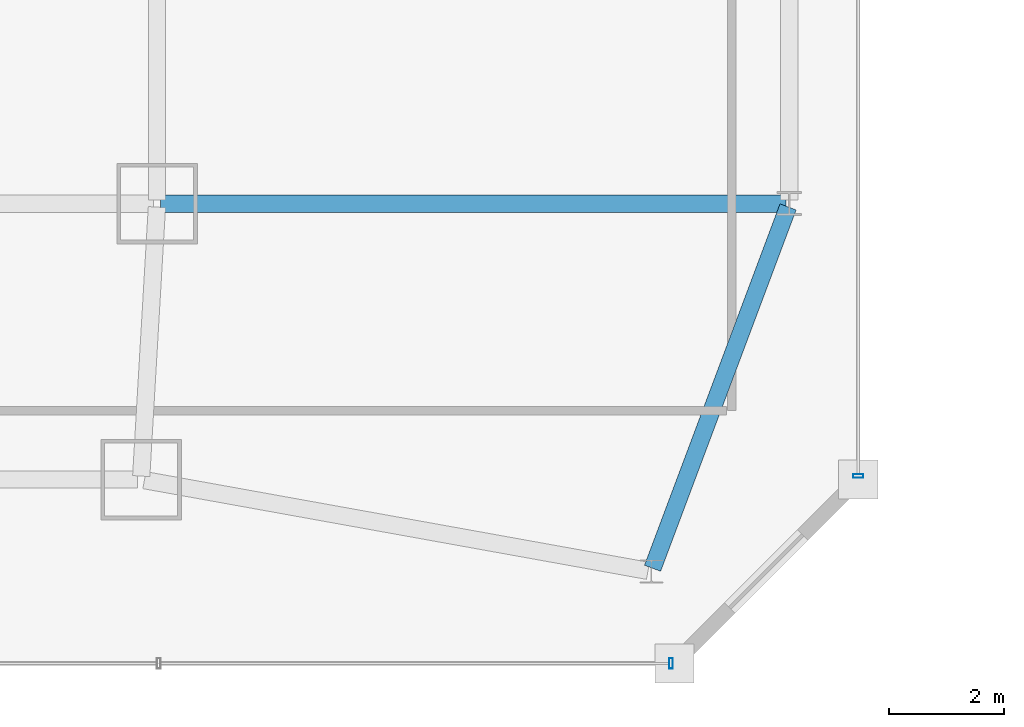
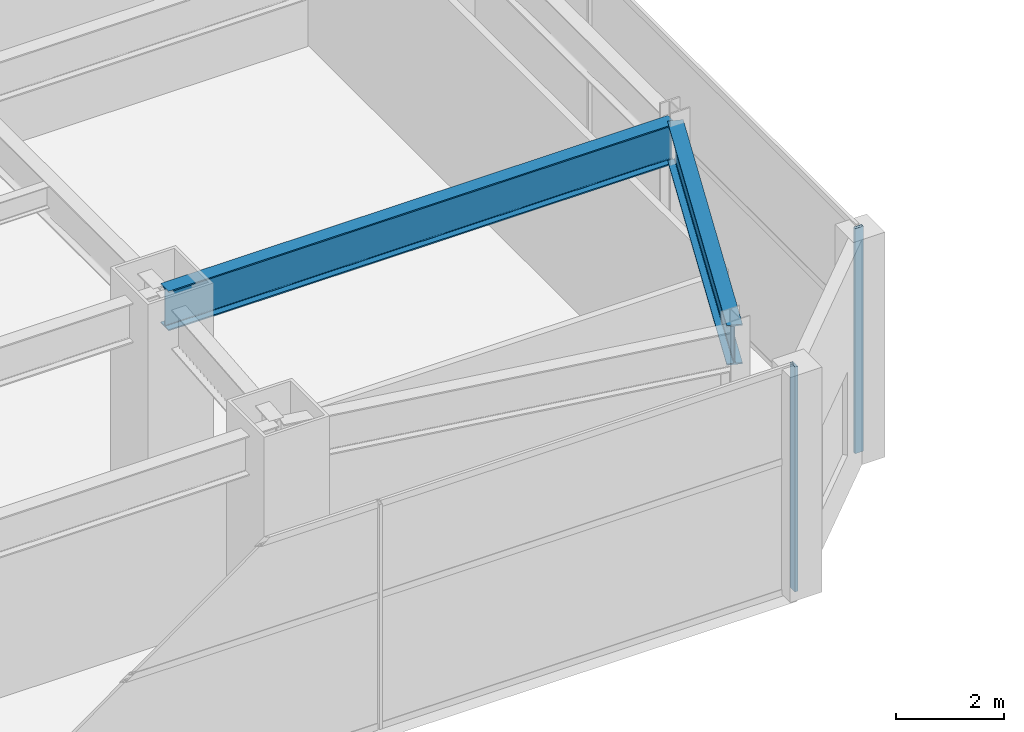
# One storey, part 17 of 52: 2 beams, 2 members, 2 elements without a shape of their own.
"""IFC4 building model written with IfcOpenShell, lengths in metres."""

from ifc_helpers import new_model, si_unit, direction, frame, origin, origin_2d, place, context, subcontext, project, spatial, hollow_rectangle, i_section, extrude, material, material_profile, profile_set, type_object, element, aggregate, save


model = new_model("IFC4")

# Units and contexts
model_context = context("Model", 3, precision=1e-05, world=origin(), true_north=direction((0.0, 1.0)))
body_context = subcontext(model_context, "Body", "Model", "MODEL_VIEW")
ifc_project = project(units=[si_unit("LENGTHUNIT", "METRE"), si_unit("AREAUNIT", "SQUARE_METRE"), si_unit("VOLUMEUNIT", "CUBIC_METRE"), si_unit("PLANEANGLEUNIT", "RADIAN"), si_unit("MASSUNIT", "GRAM", prefix="KILO")], contexts=[model_context])

# Site, building, storey
site_placement = place(None, origin())
site = spatial("IfcSite", under=ifc_project, at=site_placement, CompositionType="ELEMENT")
building_placement = place(site_placement, origin())
building = spatial("IfcBuilding", under=site, at=building_placement, Name="Saevonmaru Cultural Tower", CompositionType="ELEMENT")
storey_placement = place(building_placement, frame((0.0, 0.0, 11.39990234375)))
storey = spatial("IfcBuildingStorey", under=building, at=storey_placement, Name="L02", CompositionType="ELEMENT", Elevation=11.39990234375)

# Beams
ifc_material_1 = material(Name="Steel SM420", Category="steel")
ifc_material_profile_1 = material_profile(ifc_material_1, i_section(OverallWidth=0.300048828125, OverallDepth=0.89990234375, WebThickness=0.01611328125, FlangeThickness=0.028076171875, FilletRadius=0.028076171875, at=origin_2d()), Name="H-900x300x16x28")
ifc_profile_set_1 = profile_set([ifc_material_profile_1], Name="Steel SM420")
beam_type = type_object("IfcBeamType", Name="BM-G-H900", PredefinedType="BEAM", material=ifc_profile_set_1)
beam_1_placement = place(storey_placement, frame((47.860107421875, 8.0, 4.650146484375), z_axis=(1.0, 0.0, 0.0), x_axis=(0.0, 1.0, 0.0)))
element("IfcBeam", 1, at=beam_1_placement, inside=storey, type_object=beam_type, Name="BM-POD-OE-1-L02", PredefinedType="BEAM", context=body_context, shape_type="SweptSolid", body=[
    extrude(i_section(OverallWidth=0.300048828125, OverallDepth=0.89990234375, WebThickness=0.01611328125, FlangeThickness=0.028076171875, FilletRadius=0.028076171875, at=origin_2d()), origin(), (0.0, 0.0, 1.0), 10.8798828125),
])
beam_2_placement = place(storey_placement, frame((56.421142578125, 1.65625, 4.650146484375), z_axis=(0.351099535502, 0.936338142003, 0.0), x_axis=(-0.936338142003, 0.351099535502, 0.0)))
element("IfcBeam", 2, at=beam_2_placement, inside=storey, type_object=beam_type, Name="BM-POD-PS-4-L02", PredefinedType="BEAM", context=body_context, shape_type="SweptSolid", body=[
    extrude(i_section(OverallWidth=0.300048828125, OverallDepth=0.89990234375, WebThickness=0.01611328125, FlangeThickness=0.028076171875, FilletRadius=0.028076171875, at=origin_2d()), origin(), (0.0, 0.0, 1.0), 6.715087890625),
])

# Curtain wall, member
ifc_material_2 = material(Name="Satin Bronze Anodised Aluminium", Category="aluminium")
curtain_wall_type = type_object("IfcCurtainWallType", Name="CW-POD-GLZ", PredefinedType="NOTDEFINED", material=ifc_material_2)
curtain_wall_1_placement = place(storey_placement, origin())
curtain_wall_1 = element("IfcCurtainWall", 3, at=curtain_wall_1_placement, inside=storey, type_object=curtain_wall_type, Name="L02 South Grand Foyer Curtain Wall", PredefinedType="NOTDEFINED")
ifc_material_profile_2 = material_profile(ifc_material_2, hollow_rectangle(XDim=0.06494140625, YDim=0.179931640625, WallThickness=0.00390625, at=origin_2d()), Name="ALU-MULL-180x65x4")
ifc_profile_set_2 = profile_set([ifc_material_profile_2], Name="Satin Bronze Anodised Aluminium")
member_type = type_object("IfcMemberType", Name="ML-CW-180x65", PredefinedType="MULLION", material=ifc_profile_set_2)
member_1_placement = place(storey_placement, frame((56.739990234375, 0.0, 0.0), z_axis=(0.0, 0.0, 1.0), x_axis=(1.0, 0.0, 0.0)))
member_1 = element("IfcMember", 4, at=member_1_placement, type_object=member_type, Name="CW-POD-S-L02 mullion 7", PredefinedType="MULLION", context=body_context, shape_type="SweptSolid", body=[
    extrude(hollow_rectangle(XDim=0.06494140625, YDim=0.179931640625, WallThickness=0.00390625, at=origin_2d()), origin(), (0.0, 0.0, 1.0), 5.10009765625),
])
aggregate(curtain_wall_1, [member_1])

curtain_wall_2_placement = place(storey_placement, origin())
curtain_wall_2 = element("IfcCurtainWall", 5, at=curtain_wall_2_placement, inside=storey, type_object=curtain_wall_type, Name="L02 Saevon Plaza Curtain Wall", PredefinedType="NOTDEFINED")
member_2_placement = place(storey_placement, frame((60.0, 3.260009765625, 0.0), z_axis=(0.0, 0.0, 1.0), x_axis=(0.0, 1.0, 0.0)))
member_2 = element("IfcMember", 6, at=member_2_placement, type_object=member_type, Name="CW-POD-E-L02 mullion 1", PredefinedType="MULLION", context=body_context, shape_type="SweptSolid", body=[
    extrude(hollow_rectangle(XDim=0.06494140625, YDim=0.179931640625, WallThickness=0.00390625, at=origin_2d()), origin(), (0.0, 0.0, 1.0), 5.10009765625),
])
aggregate(curtain_wall_2, [member_2])

save(model, "model.ifc")
